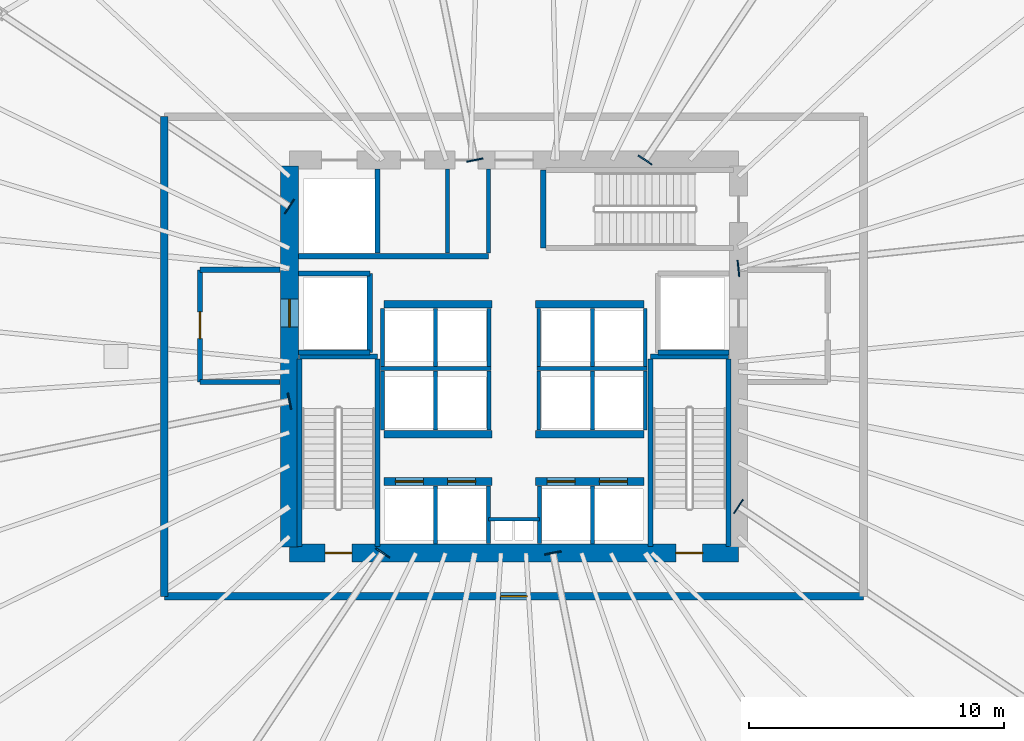
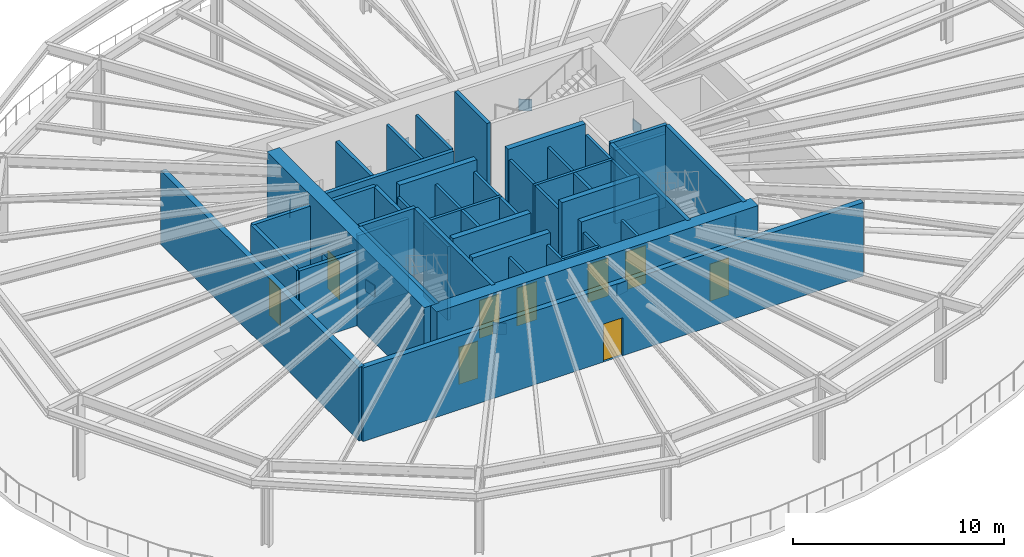
# One storey, part 4 of 9: 47 walls, 9 doors, 8 plates, 9 openings.
"""IFC4 building model written with IfcOpenShell, lengths in metres."""

from ifc_helpers import new_model, si_unit, direction, frame, frame_2d, origin, origin_2d, place, context, subcontext, project, spatial, rectangle, extrude, source, transform, mapped, material, layer, layer_set, type_object, element, fill, save


model = new_model("IFC4")

# Units and contexts
model_context = context("Model", 3, precision=1e-05, world=origin(), true_north=direction((0.0, 1.0)))
body_context = subcontext(model_context, "Body", "Model", "MODEL_VIEW")
ifc_project = project(units=[si_unit("LENGTHUNIT", "METRE"), si_unit("AREAUNIT", "SQUARE_METRE"), si_unit("VOLUMEUNIT", "CUBIC_METRE"), si_unit("PLANEANGLEUNIT", "RADIAN"), si_unit("MASSUNIT", "GRAM", prefix="KILO"), si_unit("THERMODYNAMICTEMPERATUREUNIT", "KELVIN")], contexts=[model_context])

# Site, building, storey
site_placement = place(None, origin())
site = spatial("IfcSite", under=ifc_project, at=site_placement, CompositionType="ELEMENT")
building_placement = place(site_placement, origin())
building = spatial("IfcBuilding", under=site, at=building_placement, Name="Kethvar Cultural Tower", CompositionType="ELEMENT")
storey_placement = place(building_placement, frame((0.0, 0.0, 75.199951171875)))
storey = spatial("IfcBuildingStorey", under=building, at=storey_placement, Name="L18", CompositionType="ELEMENT", Elevation=75.199951171875)

# Plates
ifc_material_1 = material(Name="Steel S460M", Category="steel")
ifc_layer_1 = layer(ifc_material_1, 0.054931640625, Name="Steel S460M", Category="steel")
ifc_layer_set_1 = layer_set([ifc_layer_1], Name="Steel S460M (55 mm)")
plate_type = type_object("IfcPlateType", Name="PL-EMBED-CORE", PredefinedType="SHEET", material=ifc_layer_set_1)
shared_shape_1 = source(origin(), body_context, "Body", "SweptSolid", [
    extrude(rectangle(XDim=0.054931640625, YDim=0.64990234375, at=origin_2d()), origin(), (0.0, 0.0, 1.0), 0.64990234375),
])
for number, where, z_axis, x_axis, name in (
    (1, (55.60009765625, 31.25, 2.1201171875), (0.0, 0.0, 1.0), (0.994558322095, 0.104181303275, 0.0), "L18 Wind-Strut Core Wall Cast-In Embed Plate EP-01"),
    (2, (51.945068359375, 35.5, 2.1201171875), (0.0, 0.0, 1.0), (0.55557023302, 0.831469612303, 0.0), "L18 Wind-Strut Core Wall Cast-In Embed Plate EP-02"),
    (3, (45.268310546875, 35.5, 2.1201171875), (0.0, 0.0, 1.0), (-0.195090322016, 0.980785280403, 0.0), "L18 Wind-Strut Core Wall Cast-In Embed Plate EP-03"),
    (4, (38.0, 33.679931640625, 2.1201171875), (0.0, 0.0, 1.0), (-0.831469612303, 0.55557023302, 0.0), "L18 Wind-Strut Core Wall Cast-In Embed Plate EP-04"),
    (5, (38.0, 26.049560546875, 2.1201171875), (0.0, 0.0, 1.0), (-0.980785280403, -0.195090322016, 0.0), "L18 Wind-Strut Core Wall Cast-In Embed Plate EP-05"),
    (6, (41.655029296875, 20.10009765625, 2.1201171875), (0.0, 0.0, 1.0), (-0.55557023302, -0.831469612303, 0.0), "L18 Wind-Strut Core Wall Cast-In Embed Plate EP-06"),
    (7, (48.33154296875, 20.10009765625, 2.1201171875), (0.0, 0.0, 1.0), (0.195090322016, -0.980785280403, 0.0), "L18 Wind-Strut Core Wall Cast-In Embed Plate EP-07"),
    (8, (55.60009765625, 21.920166015625, 2.1201171875), (0.0, 0.0, 1.0), (0.831469612303, -0.55557023302, 0.0), "L18 Wind-Strut Core Wall Cast-In Embed Plate EP-08"),
):
    element("IfcPlate", number, at=place(storey_placement, frame(where, z_axis=z_axis, x_axis=x_axis)), inside=storey, type_object=plate_type, Name=name, PredefinedType="SHEET", context=body_context, shape_type="MappedRepresentation", body=[
        mapped(shared_shape_1, transform((0.0, 0.0, 0.0), scale=1.0)),
    ])

# Wall, openings, doors
ifc_material_2 = material(Name="Concrete C60/75", Category="concrete")
ifc_layer_2 = layer(ifc_material_2, 0.699951171875, Name="Concrete C60/75", Category="concrete")
ifc_layer_set_2 = layer_set([ifc_layer_2], Name="Concrete C60/75 (700 mm)")
wall_type_1 = type_object("IfcWallType", Name="WL-CORE-700", PredefinedType="SHEAR", material=ifc_layer_set_2)
wall_1_placement = place(storey_placement, frame((38.0, 20.10009765625, 0.0), z_axis=(0.0, 0.0, 1.0), x_axis=(1.0, 0.0, 0.0)))
wall_1 = element("IfcWall", 9, at=wall_1_placement, inside=storey, type_object=wall_type_1, Name="L18 Core Shear Wall S", PredefinedType="SHEAR", context=body_context, shape_type="SweptSolid", body=[
    extrude(rectangle(XDim=17.60009765625, YDim=0.699951171875, at=frame_2d((8.800048828125, 0.0))), origin(), (0.0, 0.0, 1.0), 4.89013671875),
])
opening_1_placement = place(wall_1_placement, frame((1.39990234375, 0.0, 0.0)))
opening_1 = element("IfcOpeningElement", 10, at=opening_1_placement, cuts=wall_1, Name="Opening D-L18-S1", PredefinedType="OPENING", context=body_context, shape_type="SweptSolid", body=[
    extrude(rectangle(XDim=1.050048828125, YDim=2.14990234375, at=frame_2d((0.52490234375, 1.074951171875))), frame((0.0, 0.35986328125, 0.0), z_axis=(0.0, -1.0, 0.0), x_axis=(1.0, 0.0, 0.0)), (0.0, 0.0, 1.0), 0.719970703125),
])
opening_2_placement = place(wall_1_placement, frame((15.14990234375, 0.0, 0.0)))
opening_2 = element("IfcOpeningElement", 11, at=opening_2_placement, cuts=wall_1, Name="Opening D-L18-ST2", PredefinedType="OPENING", context=body_context, shape_type="SweptSolid", body=[
    extrude(rectangle(XDim=1.050048828125, YDim=2.14990234375, at=frame_2d((0.52490234375, 1.074951171875))), frame((0.0, 0.35986328125, 0.0), z_axis=(0.0, -1.0, 0.0), x_axis=(1.0, 0.0, 0.0)), (0.0, 0.0, 1.0), 0.719970703125),
])
ifc_material_3 = material(Name="Steel S355J2", Category="steel")
door_type_1 = type_object("IfcDoorType", Name="DR-FD60-1050", OperationType="NOTDEFINED", PredefinedType="DOOR", material=ifc_material_3)
shared_shape_2 = source(origin(), body_context, "Body", "SweptSolid", [
    extrude(rectangle(XDim=1.050048828125, YDim=2.14990234375, at=frame_2d((0.52490234375, 1.074951171875))), frame((0.0, 0.02490234375, 0.0), z_axis=(0.0, -1.0, 0.0), x_axis=(1.0, 0.0, 0.0)), (0.0, 0.0, 1.0), 0.050048828125),
])
door_1_placement = place(opening_1_placement, origin())
door_1 = element("IfcDoor", 12, at=door_1_placement, inside=storey, type_object=door_type_1, Name="L18 Exit Stair 1 Door", OperationType="SINGLE_SWING_LEFT", OverallHeight=2.14990234375, OverallWidth=1.050048828125, PredefinedType="DOOR", context=body_context, shape_type="MappedRepresentation", body=[
    mapped(shared_shape_2, transform((0.0, 0.0, 0.0), scale=1.0)),
])
fill(opening_1, door_1)
door_2_placement = place(opening_2_placement, origin())
door_2 = element("IfcDoor", 13, at=door_2_placement, inside=storey, type_object=door_type_1, Name="L18 Exit Stair 2 Door", OperationType="SINGLE_SWING_RIGHT", OverallHeight=2.14990234375, OverallWidth=1.050048828125, PredefinedType="DOOR", context=body_context, shape_type="MappedRepresentation", body=[
    mapped(shared_shape_2, transform((0.0, 0.0, 0.0), scale=1.0)),
])
fill(opening_2, door_2)

# Wall, opening, door
wall_2_placement = place(storey_placement, frame((38.0, 35.260009765625, 0.0), z_axis=(0.0, 0.0, 1.0), x_axis=(0.0, -1.0, 0.0)))
wall_2 = element("IfcWall", 14, at=wall_2_placement, inside=storey, type_object=wall_type_1, Name="L18 Core Shear Wall W", PredefinedType="SHEAR", context=body_context, shape_type="SweptSolid", body=[
    extrude(rectangle(XDim=14.919921875, YDim=0.699951171875, at=frame_2d((7.4599609375, 0.0))), origin(), (0.0, 0.0, 1.0), 4.89013671875),
])
opening_3_placement = place(wall_2_placement, frame((5.2099609375, 0.0, 0.0)))
opening_3 = element("IfcOpeningElement", 15, at=opening_3_placement, cuts=wall_2, Name="Opening LD-1", PredefinedType="OPENING", context=body_context, shape_type="SweptSolid", body=[
    extrude(rectangle(XDim=1.10009765625, YDim=2.199951171875, at=frame_2d((0.550048828125, 1.10009765625))), frame((0.0, 0.35986328125, 0.0), z_axis=(0.0, -1.0, 0.0), x_axis=(1.0, 0.0, 0.0)), (0.0, 0.0, 1.0), 0.719970703125),
])
door_type_2 = type_object("IfcDoorType", Name="DR-LIFT-SLIDE-1100", OperationType="NOTDEFINED", PredefinedType="DOOR", material=ifc_material_3)
shared_shape_3 = source(origin(), body_context, "Body", "SweptSolid", [
    extrude(rectangle(XDim=1.10009765625, YDim=2.199951171875, at=frame_2d((0.550048828125, 1.10009765625))), frame((0.0, 0.02490234375, 0.0), z_axis=(0.0, -1.0, 0.0), x_axis=(1.0, 0.0, 0.0)), (0.0, 0.0, 1.0), 0.050048828125),
])
door_3_placement = place(opening_3_placement, origin())
door_3 = element("IfcDoor", 16, at=door_3_placement, inside=storey, type_object=door_type_2, Name="L18 Firefighting Lift Landing Door FFL-01", OperationType="SLIDING_TO_LEFT", OverallHeight=2.199951171875, OverallWidth=1.10009765625, PredefinedType="DOOR", context=body_context, shape_type="MappedRepresentation", body=[
    mapped(shared_shape_3, transform((0.0, 0.0, 0.0), scale=1.0)),
])
fill(opening_3, door_3)

ifc_material_4 = material(Name="Concrete C40/50", Category="concrete")
ifc_layer_3 = layer(ifc_material_4, 0.300048828125, Name="Concrete C40/50", Category="concrete")
ifc_layer_set_3 = layer_set([ifc_layer_3], Name="Concrete C40/50 (300 mm)")
wall_type_2 = type_object("IfcWallType", Name="WL-EXT-TER-300", PredefinedType="SOLIDWALL", material=ifc_layer_set_3)
wall_3_placement = place(storey_placement, frame((33.10009765625, 18.39990234375, 0.0), z_axis=(0.0, 0.0, 1.0), x_axis=(1.0, 0.0, 0.0)))
wall_3 = element("IfcWall", 17, at=wall_3_placement, inside=storey, type_object=wall_type_2, Name="L18 Wind-Floor Weather Enclosure Wall S", PredefinedType="SOLIDWALL", context=body_context, shape_type="SweptSolid", body=[
    extrude(rectangle(XDim=27.39990234375, YDim=0.300048828125, at=frame_2d((13.699951171875, 0.0))), origin(), (0.0, 0.0, 1.0), 4.26513671875),
])
opening_4_placement = place(wall_3_placement, frame((13.175048828125, 0.0, 0.0)))
opening_4 = element("IfcOpeningElement", 18, at=opening_4_placement, cuts=wall_3, Name="Opening D-L18-WD1", PredefinedType="OPENING", context=body_context, shape_type="SweptSolid", body=[
    extrude(rectangle(XDim=1.050048828125, YDim=2.199951171875, at=frame_2d((0.52490234375, 1.10009765625))), frame((0.0, 0.159912109375, 0.0), z_axis=(0.0, -1.0, 0.0), x_axis=(1.0, 0.0, 0.0)), (0.0, 0.0, 1.0), 0.320068359375),
])
ifc_material_5 = material(Name="Aluminium 6063-T6", Category="aluminium")
door_type_3 = type_object("IfcDoorType", Name="DR-EXT-TER-1050", OperationType="NOTDEFINED", PredefinedType="DOOR", material=ifc_material_5)
shared_shape_4 = source(origin(), body_context, "Body", "SweptSolid", [
    extrude(rectangle(XDim=1.050048828125, YDim=2.199951171875, at=frame_2d((0.52490234375, 1.10009765625))), frame((0.0, 0.02490234375, 0.0), z_axis=(0.0, -1.0, 0.0), x_axis=(1.0, 0.0, 0.0)), (0.0, 0.0, 1.0), 0.050048828125),
])
door_4_placement = place(opening_4_placement, origin())
door_4 = element("IfcDoor", 19, at=door_4_placement, inside=storey, type_object=door_type_3, Name="L18 Wind-Floor Maintenance Access Door", OperationType="SINGLE_SWING_LEFT", OverallHeight=2.199951171875, OverallWidth=1.050048828125, PredefinedType="DOOR", context=body_context, shape_type="MappedRepresentation", body=[
    mapped(shared_shape_4, transform((0.0, 0.0, 0.0), scale=1.0)),
])
fill(opening_4, door_4)

# Walls
wall_4_placement = place(storey_placement, frame((33.10009765625, 37.199951171875, 0.0), z_axis=(0.0, 0.0, 1.0), x_axis=(0.0, -1.0, 0.0)))
element("IfcWall", 20, at=wall_4_placement, inside=storey, type_object=wall_type_2, Name="L18 Wind-Floor Weather Enclosure Wall W", PredefinedType="SOLIDWALL", context=body_context, shape_type="SweptSolid", body=[
    extrude(rectangle(XDim=18.800048828125, YDim=0.300048828125, at=frame_2d((9.39990234375, 0.0))), origin(), (0.0, 0.0, 1.0), 4.26513671875),
])
ifc_material_6 = material(Name="Gypsum Fireboard Partition")
ifc_layer_4 = layer(ifc_material_6, 0.14990234375, Name="Gypsum Fireboard Partition")
ifc_layer_set_4 = layer_set([ifc_layer_4], Name="Gypsum Fireboard Partition (150 mm)")
wall_type_3 = type_object("IfcWallType", Name="WL-FIRE-150", PredefinedType="PARTITIONING", material=ifc_layer_set_4)
wall_5_placement = place(storey_placement, frame((45.800048828125, 21.419921875, 0.0), z_axis=(0.0, 0.0, 1.0), x_axis=(1.0, 0.0, 0.0)))
element("IfcWall", 21, at=wall_5_placement, inside=storey, type_object=wall_type_3, Name="L18 Core Riser Wall", PredefinedType="PARTITIONING", context=body_context, shape_type="SweptSolid", body=[
    extrude(rectangle(XDim=2.0, YDim=0.14990234375, at=frame_2d((1.0, 0.0))), origin(), (0.0, 0.0, 1.0), 4.26513671875),
])
for number, where, z_axis, x_axis, name in (
    (22, (45.800048828125, 20.47998046875, 0.0), (0.0, 0.0, 1.0), (0.0, 1.0, 0.0), "L18 Core Riser West Wall"),
    (23, (47.800048828125, 20.47998046875, 0.0), (0.0, 0.0, 1.0), (0.0, 1.0, 0.0), "L18 Core Riser East Wall"),
):
    element("IfcWall", number, at=place(storey_placement, frame(where, z_axis=z_axis, x_axis=x_axis)), inside=storey, type_object=wall_type_3, Name=name, PredefinedType="PARTITIONING", context=body_context, shape_type="SweptSolid", body=[
        extrude(rectangle(XDim=2.239990234375, YDim=0.14990234375, at=frame_2d((1.1201171875, 0.0))), origin(), (0.0, 0.0, 1.0), 4.26513671875),
    ])
for number, where, z_axis, x_axis, name in (
    (24, (43.72509765625, 20.4599609375, 0.0), (0.0, 0.0, 1.0), (0.0, 1.0, 0.0), "L18 Low-Rise Lift Shaft Divider W"),
    (25, (49.875, 20.4599609375, 0.0), (0.0, 0.0, 1.0), (0.0, 1.0, 0.0), "L18 Low-Rise Lift Shaft Divider E"),
):
    element("IfcWall", number, at=place(storey_placement, frame(where, z_axis=z_axis, x_axis=x_axis)), inside=storey, type_object=wall_type_3, Name=name, PredefinedType="PARTITIONING", context=body_context, shape_type="SweptSolid", body=[
        extrude(rectangle(XDim=2.27001953125, YDim=0.14990234375, at=frame_2d((1.135009765625, 0.0))), origin(), (0.0, 0.0, 1.0), 4.26513671875),
    ])
wall_6_placement = place(storey_placement, frame((41.580078125, 27.324951171875, 0.0), z_axis=(0.0, 0.0, 1.0), x_axis=(1.0, 0.0, 0.0)))
element("IfcWall", 26, at=wall_6_placement, inside=storey, type_object=wall_type_3, Name="L18 Mid-High Lift Shaft Back Wall W", PredefinedType="PARTITIONING", context=body_context, shape_type="SweptSolid", body=[
    extrude(rectangle(XDim=4.31982421875, YDim=0.14990234375, at=frame_2d((2.159912109375, 0.0))), origin(), (0.0, 0.0, 1.0), 4.26513671875),
])
wall_7_placement = place(storey_placement, frame((47.699951171875, 27.324951171875, 0.0), z_axis=(0.0, 0.0, 1.0), x_axis=(1.0, 0.0, 0.0)))
element("IfcWall", 27, at=wall_7_placement, inside=storey, type_object=wall_type_3, Name="L18 Mid-High Lift Shaft Back Wall E", PredefinedType="PARTITIONING", context=body_context, shape_type="SweptSolid", body=[
    extrude(rectangle(XDim=4.320068359375, YDim=0.14990234375, at=frame_2d((2.16015625, 0.0))), origin(), (0.0, 0.0, 1.0), 4.26513671875),
])
for number, where, z_axis, x_axis, name in (
    (28, (41.64990234375, 24.919921875, 0.0), (0.0, 0.0, 1.0), (0.0, 1.0, 0.0), "L18 Mid-Rise Lift Shaft Outer Wall W"),
    (29, (43.72509765625, 24.919921875, 0.0), (0.0, 0.0, 1.0), (0.0, 1.0, 0.0), "L18 Mid-Rise Lift Shaft Divider W"),
    (30, (45.824951171875, 24.919921875, 0.0), (0.0, 0.0, 1.0), (0.0, 1.0, 0.0), "L18 Mid-Rise Lift Shaft Concourse Wall W"),
    (31, (47.77490234375, 24.919921875, 0.0), (0.0, 0.0, 1.0), (0.0, 1.0, 0.0), "L18 Mid-Rise Lift Shaft Concourse Wall E"),
    (32, (49.875, 24.919921875, 0.0), (0.0, 0.0, 1.0), (0.0, 1.0, 0.0), "L18 Mid-Rise Lift Shaft Divider E"),
    (33, (51.949951171875, 24.919921875, 0.0), (0.0, 0.0, 1.0), (0.0, 1.0, 0.0), "L18 Mid-Rise Lift Shaft Outer Wall E"),
):
    element("IfcWall", number, at=place(storey_placement, frame(where, z_axis=z_axis, x_axis=x_axis)), inside=storey, type_object=wall_type_3, Name=name, PredefinedType="PARTITIONING", context=body_context, shape_type="SweptSolid", body=[
        extrude(rectangle(XDim=2.320068359375, YDim=0.14990234375, at=frame_2d((1.16015625, 0.0))), origin(), (0.0, 0.0, 1.0), 4.26513671875),
    ])
for number, where, z_axis, x_axis, name in (
    (34, (41.64990234375, 27.409912109375, 0.0), (0.0, 0.0, 1.0), (0.0, 1.0, 0.0), "L18 High-Rise Lift Shaft Outer Wall W"),
    (35, (43.72509765625, 27.409912109375, 0.0), (0.0, 0.0, 1.0), (0.0, 1.0, 0.0), "L18 High-Rise Lift Shaft Divider W"),
    (36, (45.824951171875, 27.409912109375, 0.0), (0.0, 0.0, 1.0), (0.0, 1.0, 0.0), "L18 High-Rise Lift Shaft Concourse Wall W"),
    (37, (47.77490234375, 27.409912109375, 0.0), (0.0, 0.0, 1.0), (0.0, 1.0, 0.0), "L18 High-Rise Lift Shaft Concourse Wall E"),
    (38, (49.875, 27.409912109375, 0.0), (0.0, 0.0, 1.0), (0.0, 1.0, 0.0), "L18 High-Rise Lift Shaft Divider E"),
    (39, (51.949951171875, 27.409912109375, 0.0), (0.0, 0.0, 1.0), (0.0, 1.0, 0.0), "L18 High-Rise Lift Shaft Outer Wall E"),
):
    element("IfcWall", number, at=place(storey_placement, frame(where, z_axis=z_axis, x_axis=x_axis)), inside=storey, type_object=wall_type_3, Name=name, PredefinedType="PARTITIONING", context=body_context, shape_type="SweptSolid", body=[
        extrude(rectangle(XDim=2.27001953125, YDim=0.14990234375, at=frame_2d((1.135009765625, 0.0))), origin(), (0.0, 0.0, 1.0), 4.26513671875),
    ])
wall_8_placement = place(storey_placement, frame((45.800048828125, 31.85009765625, 0.0), z_axis=(0.0, 0.0, 1.0), x_axis=(0.0, 1.0, 0.0)))
element("IfcWall", 40, at=wall_8_placement, inside=storey, type_object=wall_type_3, Name="L18 Sanitary Spine Wall", PredefinedType="PARTITIONING", context=body_context, shape_type="SweptSolid", body=[
    extrude(rectangle(XDim=3.289794921875, YDim=0.14990234375, at=frame_2d((1.64501953125, 0.0))), origin(), (0.0, 0.0, 1.0), 4.26513671875),
])
ifc_layer_5 = layer(ifc_material_4, 0.199951171875, Name="Concrete C40/50", Category="concrete")
ifc_layer_set_5 = layer_set([ifc_layer_5], Name="Concrete C40/50 (200 mm)")
wall_type_4 = type_object("IfcWallType", Name="WL-FIRE-200", PredefinedType="PARTITIONING", material=ifc_layer_set_5)
wall_9_placement = place(storey_placement, frame((41.14990234375, 27.949951171875, 0.0), z_axis=(0.0, 0.0, 1.0), x_axis=(0.0, 1.0, 0.0)))
element("IfcWall", 41, at=wall_9_placement, inside=storey, type_object=wall_type_4, Name="L18 FFL-01 Shaft Inner Wall", PredefinedType="PARTITIONING", context=body_context, shape_type="SweptSolid", body=[
    extrude(rectangle(XDim=3.10009765625, YDim=0.199951171875, at=frame_2d((1.550048828125, 0.0))), origin(), (0.0, 0.0, 1.0), 4.26513671875),
])
for number, where, z_axis, x_axis, name in (
    (42, (38.360107421875, 27.949951171875, 0.0), (0.0, 0.0, 1.0), (1.0, 0.0, 0.0), "L18 FFL-01 Shaft South Wall"),
    (43, (38.360107421875, 31.050048828125, 0.0), (0.0, 0.0, 1.0), (1.0, 0.0, 0.0), "L18 FFL-01 Shaft North Wall"),
):
    element("IfcWall", number, at=place(storey_placement, frame(where, z_axis=z_axis, x_axis=x_axis)), inside=storey, type_object=wall_type_4, Name=name, PredefinedType="PARTITIONING", context=body_context, shape_type="SweptSolid", body=[
        extrude(rectangle(XDim=2.789794921875, YDim=0.199951171875, at=frame_2d((1.39501953125, 0.0))), origin(), (0.0, 0.0, 1.0), 4.26513671875),
    ])

# Wall, opening, door
wall_10_placement = place(storey_placement, frame((34.5, 31.199951171875, 0.0), z_axis=(0.0, 0.0, 1.0), x_axis=(0.0, -1.0, 0.0)))
wall_10 = element("IfcWall", 44, at=wall_10_placement, inside=storey, type_object=wall_type_4, Name="L18 Firefighting Lobby 1 Wall", PredefinedType="PARTITIONING", context=body_context, shape_type="SweptSolid", body=[
    extrude(rectangle(XDim=4.39990234375, YDim=0.199951171875, at=frame_2d((2.199951171875, 0.0))), origin(), (0.0, 0.0, 1.0), 4.26513671875),
])
opening_5_placement = place(wall_10_placement, frame((1.64990234375, 0.0, 0.0)))
opening_5 = element("IfcOpeningElement", 45, at=opening_5_placement, cuts=wall_10, Name="Opening D-L18-F1", PredefinedType="OPENING", context=body_context, shape_type="SweptSolid", body=[
    extrude(rectangle(XDim=1.050048828125, YDim=2.14990234375, at=frame_2d((0.52490234375, 1.074951171875))), frame((0.0, 0.10986328125, 0.0), z_axis=(0.0, -1.0, 0.0), x_axis=(1.0, 0.0, 0.0)), (0.0, 0.0, 1.0), 0.219970703125),
])
door_5_placement = place(opening_5_placement, origin())
door_5 = element("IfcDoor", 46, at=door_5_placement, inside=storey, type_object=door_type_1, Name="L18 Firefighting Lobby 1 Fire Door", OperationType="SINGLE_SWING_LEFT", OverallHeight=2.14990234375, OverallWidth=1.050048828125, PredefinedType="DOOR", context=body_context, shape_type="MappedRepresentation", body=[
    mapped(shared_shape_2, transform((0.0, 0.0, 0.0), scale=1.0)),
])
fill(opening_5, door_5)

# Walls
for number, where, z_axis, x_axis, name in (
    (47, (34.5, 26.800048828125, 0.0), (0.0, 0.0, 1.0), (1.0, 0.0, 0.0), "L18 FF Lobby 1 South Wall"),
    (48, (34.5, 31.199951171875, 0.0), (0.0, 0.0, 1.0), (1.0, 0.0, 0.0), "L18 FF Lobby 1 North Wall"),
):
    element("IfcWall", number, at=place(storey_placement, frame(where, z_axis=z_axis, x_axis=x_axis)), inside=storey, type_object=wall_type_4, Name=name, PredefinedType="PARTITIONING", context=body_context, shape_type="SweptSolid", body=[
        extrude(rectangle(XDim=3.139892578125, YDim=0.199951171875, at=frame_2d((1.56982421875, 0.0))), origin(), (0.0, 0.0, 1.0), 4.26513671875),
    ])
wall_11_placement = place(storey_placement, frame((52.449951171875, 27.949951171875, 0.0), z_axis=(0.0, 0.0, 1.0), x_axis=(1.0, 0.0, 0.0)))
element("IfcWall", 49, at=wall_11_placement, inside=storey, type_object=wall_type_4, Name="L18 FFL-02 Shaft South Wall", PredefinedType="PARTITIONING", context=body_context, shape_type="SweptSolid", body=[
    extrude(rectangle(XDim=2.7900390625, YDim=0.199951171875, at=frame_2d((1.39501953125, 0.0))), origin(), (0.0, 0.0, 1.0), 4.26513671875),
])
wall_12_placement = place(storey_placement, frame((41.449951171875, 31.85009765625, 0.0), z_axis=(0.0, 0.0, 1.0), x_axis=(0.0, 1.0, 0.0)))
element("IfcWall", 50, at=wall_12_placement, inside=storey, type_object=wall_type_4, Name="L18 NW Core Pocket Wall", PredefinedType="PARTITIONING", context=body_context, shape_type="SweptSolid", body=[
    extrude(rectangle(XDim=3.289794921875, YDim=0.199951171875, at=frame_2d((1.64501953125, 0.0))), origin(), (0.0, 0.0, 1.0), 4.26513671875),
])
wall_13_placement = place(storey_placement, frame((38.360107421875, 31.72998046875, 0.0), z_axis=(0.0, 0.0, 1.0), x_axis=(1.0, 0.0, 0.0)))
element("IfcWall", 51, at=wall_13_placement, inside=storey, type_object=wall_type_4, Name="L18 North Core Sanitary South Wall", PredefinedType="PARTITIONING", context=body_context, shape_type="SweptSolid", body=[
    extrude(rectangle(XDim=7.43994140625, YDim=0.199951171875, at=frame_2d((3.719970703125, 0.0))), origin(), (0.0, 0.0, 1.0), 4.26513671875),
])
ifc_material_7 = material(Name="Moisture-Resistant Sanitary Chase Wall")
ifc_layer_6 = layer(ifc_material_7, 0.14990234375, Name="Moisture-Resistant Sanitary Chase Wall")
ifc_layer_set_6 = layer_set([ifc_layer_6], Name="Moisture-Resistant Sanitary Chase Wall (150 mm)")
wall_type_5 = type_object("IfcWallType", Name="WL-PLUMB-150", PredefinedType="PLUMBINGWALL", material=ifc_layer_set_6)
wall_14_placement = place(storey_placement, frame((44.199951171875, 31.85009765625, 0.0), z_axis=(0.0, 0.0, 1.0), x_axis=(0.0, 1.0, 0.0)))
element("IfcWall", 52, at=wall_14_placement, inside=storey, type_object=wall_type_5, Name="L18 Sanitary Plumbing Wall", PredefinedType="PLUMBINGWALL", context=body_context, shape_type="SweptSolid", body=[
    extrude(rectangle(XDim=3.289794921875, YDim=0.14990234375, at=frame_2d((1.64501953125, 0.0))), origin(), (0.0, 0.0, 1.0), 4.26513671875),
])

# Wall, openings, doors
ifc_material_8 = material(Name="Concrete C50/60", Category="concrete")
ifc_layer_7 = layer(ifc_material_8, 0.300048828125, Name="Concrete C50/60", Category="concrete")
ifc_layer_set_7 = layer_set([ifc_layer_7], Name="Concrete C50/60 (300 mm)")
wall_type_6 = type_object("IfcWallType", Name="WL-SHAFT-300", PredefinedType="SHEAR", material=ifc_layer_set_7)
wall_15_placement = place(storey_placement, frame((41.699951171875, 22.89990234375, 0.0), z_axis=(0.0, 0.0, 1.0), x_axis=(1.0, 0.0, 0.0)))
wall_15 = element("IfcWall", 53, at=wall_15_placement, inside=storey, type_object=wall_type_6, Name="L18 Core Lift Spine Wall MID1W", PredefinedType="SHEAR", context=body_context, shape_type="SweptSolid", body=[
    extrude(rectangle(XDim=4.25, YDim=0.300048828125, at=frame_2d((2.125, 0.0))), origin(), (0.0, 0.0, 1.0), 4.89013671875),
])
opening_6_placement = place(wall_15_placement, frame((0.449951171875, 0.0, 0.0)))
opening_6 = element("IfcOpeningElement", 54, at=opening_6_placement, cuts=wall_15, Name="Opening LD-L1", PredefinedType="OPENING", context=body_context, shape_type="SweptSolid", body=[
    extrude(rectangle(XDim=1.10009765625, YDim=2.199951171875, at=frame_2d((0.550048828125, 1.10009765625))), frame((0.0, 0.159912109375, 0.0), z_axis=(0.0, -1.0, 0.0), x_axis=(1.0, 0.0, 0.0)), (0.0, 0.0, 1.0), 0.320068359375),
])
opening_7_placement = place(wall_15_placement, frame((2.5, 0.0, 0.0)))
opening_7 = element("IfcOpeningElement", 55, at=opening_7_placement, cuts=wall_15, Name="Opening LD-L2", PredefinedType="OPENING", context=body_context, shape_type="SweptSolid", body=[
    extrude(rectangle(XDim=1.10009765625, YDim=2.199951171875, at=frame_2d((0.550048828125, 1.10009765625))), frame((0.0, 0.159912109375, 0.0), z_axis=(0.0, -1.0, 0.0), x_axis=(1.0, 0.0, 0.0)), (0.0, 0.0, 1.0), 0.320068359375),
])
door_6_placement = place(opening_6_placement, origin())
door_6 = element("IfcDoor", 56, at=door_6_placement, inside=storey, type_object=door_type_2, Name="L18 Low-Rise Lift Landing Door L1", OperationType="SLIDING_TO_LEFT", OverallHeight=2.199951171875, OverallWidth=1.10009765625, PredefinedType="DOOR", context=body_context, shape_type="MappedRepresentation", body=[
    mapped(shared_shape_3, transform((0.0, 0.0, 0.0), scale=1.0)),
])
fill(opening_6, door_6)
door_7_placement = place(opening_7_placement, origin())
door_7 = element("IfcDoor", 57, at=door_7_placement, inside=storey, type_object=door_type_2, Name="L18 Low-Rise Lift Landing Door L2", OperationType="SLIDING_TO_LEFT", OverallHeight=2.199951171875, OverallWidth=1.10009765625, PredefinedType="DOOR", context=body_context, shape_type="MappedRepresentation", body=[
    mapped(shared_shape_3, transform((0.0, 0.0, 0.0), scale=1.0)),
])
fill(opening_7, door_7)

wall_16_placement = place(storey_placement, frame((47.64990234375, 22.89990234375, 0.0), z_axis=(0.0, 0.0, 1.0), x_axis=(1.0, 0.0, 0.0)))
wall_16 = element("IfcWall", 58, at=wall_16_placement, inside=storey, type_object=wall_type_6, Name="L18 Core Lift Spine Wall MID1E", PredefinedType="SHEAR", context=body_context, shape_type="SweptSolid", body=[
    extrude(rectangle(XDim=4.25, YDim=0.300048828125, at=frame_2d((2.125, 0.0))), origin(), (0.0, 0.0, 1.0), 4.89013671875),
])
opening_8_placement = place(wall_16_placement, frame((0.449951171875, 0.0, 0.0)))
opening_8 = element("IfcOpeningElement", 59, at=opening_8_placement, cuts=wall_16, Name="Opening LD-L3", PredefinedType="OPENING", context=body_context, shape_type="SweptSolid", body=[
    extrude(rectangle(XDim=1.10009765625, YDim=2.199951171875, at=frame_2d((0.550048828125, 1.10009765625))), frame((0.0, 0.159912109375, 0.0), z_axis=(0.0, -1.0, 0.0), x_axis=(1.0, 0.0, 0.0)), (0.0, 0.0, 1.0), 0.320068359375),
])
opening_9_placement = place(wall_16_placement, frame((2.5, 0.0, 0.0)))
opening_9 = element("IfcOpeningElement", 60, at=opening_9_placement, cuts=wall_16, Name="Opening LD-L4", PredefinedType="OPENING", context=body_context, shape_type="SweptSolid", body=[
    extrude(rectangle(XDim=1.10009765625, YDim=2.199951171875, at=frame_2d((0.550048828125, 1.10009765625))), frame((0.0, 0.159912109375, 0.0), z_axis=(0.0, -1.0, 0.0), x_axis=(1.0, 0.0, 0.0)), (0.0, 0.0, 1.0), 0.320068359375),
])
door_8_placement = place(opening_8_placement, origin())
door_8 = element("IfcDoor", 61, at=door_8_placement, inside=storey, type_object=door_type_2, Name="L18 Low-Rise Lift Landing Door L3", OperationType="SLIDING_TO_LEFT", OverallHeight=2.199951171875, OverallWidth=1.10009765625, PredefinedType="DOOR", context=body_context, shape_type="MappedRepresentation", body=[
    mapped(shared_shape_3, transform((0.0, 0.0, 0.0), scale=1.0)),
])
fill(opening_8, door_8)
door_9_placement = place(opening_9_placement, origin())
door_9 = element("IfcDoor", 62, at=door_9_placement, inside=storey, type_object=door_type_2, Name="L18 Low-Rise Lift Landing Door L4", OperationType="SLIDING_TO_LEFT", OverallHeight=2.199951171875, OverallWidth=1.10009765625, PredefinedType="DOOR", context=body_context, shape_type="MappedRepresentation", body=[
    mapped(shared_shape_3, transform((0.0, 0.0, 0.0), scale=1.0)),
])
fill(opening_9, door_9)

# Walls
for number, where, z_axis, x_axis, name in (
    (63, (41.699951171875, 24.75, 0.0), (0.0, 0.0, 1.0), (1.0, 0.0, 0.0), "L18 Core Lift Spine Wall MID2W"),
    (64, (47.64990234375, 24.75, 0.0), (0.0, 0.0, 1.0), (1.0, 0.0, 0.0), "L18 Core Lift Spine Wall MID2E"),
    (65, (41.699951171875, 29.85009765625, 0.0), (0.0, 0.0, 1.0), (1.0, 0.0, 0.0), "L18 Core Lift Spine Wall MID3W"),
    (66, (47.64990234375, 29.85009765625, 0.0), (0.0, 0.0, 1.0), (1.0, 0.0, 0.0), "L18 Core Lift Spine Wall MID3E"),
):
    element("IfcWall", number, at=place(storey_placement, frame(where, z_axis=z_axis, x_axis=x_axis)), inside=storey, type_object=wall_type_6, Name=name, PredefinedType="SHEAR", context=body_context, shape_type="SweptSolid", body=[
        extrude(rectangle(XDim=4.25, YDim=0.300048828125, at=frame_2d((2.125, 0.0))), origin(), (0.0, 0.0, 1.0), 4.89013671875),
    ])
ifc_layer_8 = layer(ifc_material_8, 0.199951171875, Name="Concrete C50/60", Category="concrete")
ifc_layer_set_8 = layer_set([ifc_layer_8], Name="Concrete C50/60 (200 mm)")
wall_type_7 = type_object("IfcWallType", Name="WL-STSHAFT-200", PredefinedType="SHEAR", material=ifc_layer_set_8)
wall_17_placement = place(storey_placement, frame((38.389892578125, 27.800048828125, 0.0), z_axis=(0.0, 0.0, 1.0), x_axis=(1.0, 0.0, 0.0)))
element("IfcWall", 67, at=wall_17_placement, inside=storey, type_object=wall_type_7, Name="L18 ST-01 Stair Shaft Wall FAR", PredefinedType="SHEAR", context=body_context, shape_type="SweptSolid", body=[
    extrude(rectangle(XDim=3.06005859375, YDim=0.199951171875, at=frame_2d((1.530029296875, 0.0))), origin(), (0.0, 0.0, 1.0), 4.89013671875),
])
for number, where, z_axis, x_axis, name in (
    (68, (41.449951171875, 27.699951171875, 0.0), (0.0, 0.0, 1.0), (0.0, -1.0, 0.0), "L18 ST-01 Stair Shaft Wall LEFT"),
    (69, (38.389892578125, 20.35009765625, 0.0), (0.0, 0.0, 1.0), (0.0, 1.0, 0.0), "L18 ST-01 Stair Shaft Wall RIGHT"),
):
    element("IfcWall", number, at=place(storey_placement, frame(where, z_axis=z_axis, x_axis=x_axis)), inside=storey, type_object=wall_type_7, Name=name, PredefinedType="SHEAR", context=body_context, shape_type="SweptSolid", body=[
        extrude(rectangle(XDim=7.349853515625, YDim=0.199951171875, at=frame_2d((3.6748046875, 0.0))), origin(), (0.0, 0.0, 1.0), 4.89013671875),
    ])
wall_18_placement = place(storey_placement, frame((52.14990234375, 27.800048828125, 0.0), z_axis=(0.0, 0.0, 1.0), x_axis=(1.0, 0.0, 0.0)))
element("IfcWall", 70, at=wall_18_placement, inside=storey, type_object=wall_type_7, Name="L18 ST-02 Stair Shaft Wall FAR", PredefinedType="SHEAR", context=body_context, shape_type="SweptSolid", body=[
    extrude(rectangle(XDim=3.06005859375, YDim=0.199951171875, at=frame_2d((1.530029296875, 0.0))), origin(), (0.0, 0.0, 1.0), 4.89013671875),
])
for number, where, z_axis, x_axis, name in (
    (71, (55.2099609375, 27.699951171875, 0.0), (0.0, 0.0, 1.0), (0.0, -1.0, 0.0), "L18 ST-02 Stair Shaft Wall LEFT"),
    (72, (52.14990234375, 20.35009765625, 0.0), (0.0, 0.0, 1.0), (0.0, 1.0, 0.0), "L18 ST-02 Stair Shaft Wall RIGHT"),
):
    element("IfcWall", number, at=place(storey_placement, frame(where, z_axis=z_axis, x_axis=x_axis)), inside=storey, type_object=wall_type_7, Name=name, PredefinedType="SHEAR", context=body_context, shape_type="SweptSolid", body=[
        extrude(rectangle(XDim=7.349853515625, YDim=0.199951171875, at=frame_2d((3.6748046875, 0.0))), origin(), (0.0, 0.0, 1.0), 4.89013671875),
    ])
wall_19_placement = place(storey_placement, frame((47.949951171875, 32.050048828125, 0.0), z_axis=(0.0, 0.0, 1.0), x_axis=(0.0, 1.0, 0.0)))
element("IfcWall", 73, at=wall_19_placement, inside=storey, type_object=wall_type_7, Name="L18 ST-03 Stair Shaft Wall FAR", PredefinedType="SHEAR", context=body_context, shape_type="SweptSolid", body=[
    extrude(rectangle(XDim=3.06005859375, YDim=0.199951171875, at=frame_2d((1.530029296875, 0.0))), origin(), (0.0, 0.0, 1.0), 4.89013671875),
])

save(model, "model.ifc")
